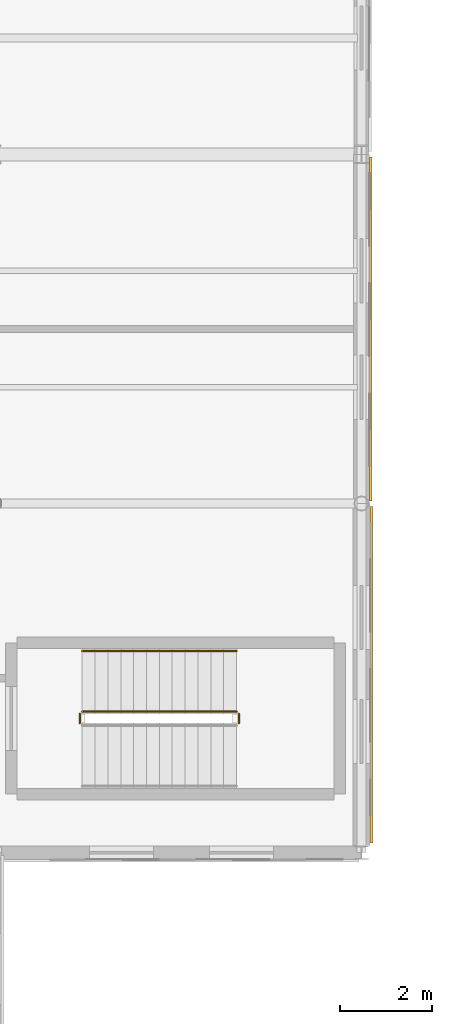
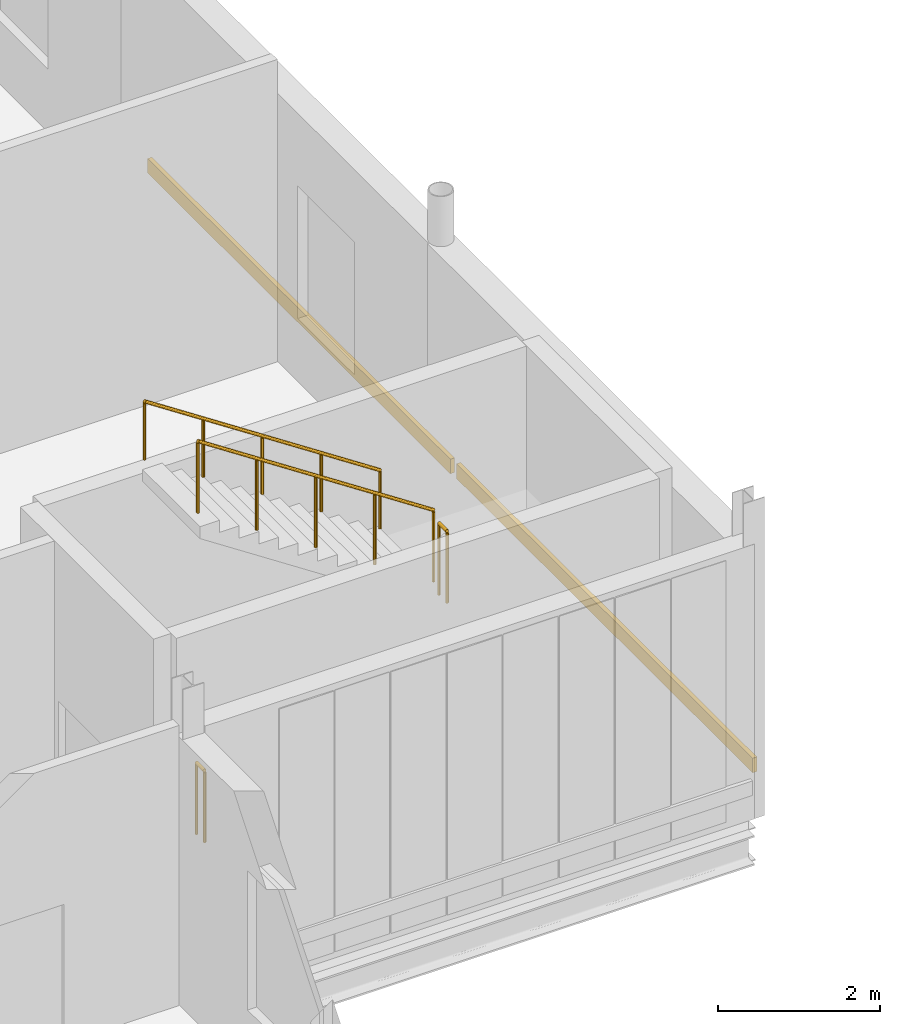
# One storey, part 114 of 120: 4 railings, 2 coverings.
"""IFC4 building model written with IfcOpenShell, lengths in metres."""

import ifcopenshell
import ifcopenshell.guid

model = None  # the IFC model being written
_history = None  # IfcOwnerHistory: only IFC2X3 demands one
_inside = {}  # id of a spatial element -> (the spatial element, [elements in it])
_under = {}  # id of a project, library or spatial element -> (it, [spatial elements below it])
_declared = {}  # id of a project -> (the project, [libraries it declares])
_typed = {}  # id of a type object -> (the type object, [elements of that type])
_made_of = {}  # id of a material, layer set ... -> (it, [elements and type objects made of it])


def new_model(schema):
    """Start an empty IFC model of exactly this schema.

    Asked for "IFC4X3", IfcOpenShell would pick the latest addendum, in which some entities
    have other attributes; the version numbers below select the first issue.
    IFC2X3 requires an IfcOwnerHistory on every rooted entity: one is made here for all.
    """
    global model, _history
    if schema == "IFC4X3":
        model = ifcopenshell.file(schema_version=(4, 3, 0, 0))
    else:
        model = ifcopenshell.file(schema=schema)
    _inside.clear()
    _under.clear()
    _declared.clear()
    _typed.clear()
    _made_of.clear()
    _history = None
    if model.schema == "IFC2X3":
        org = make("IfcOrganization", Name="unknown")
        user = make(
            "IfcPersonAndOrganization",
            ThePerson=make("IfcPerson", FamilyName="unknown"),
            TheOrganization=org,
        )
        app = make(
            "IfcApplication",
            ApplicationDeveloper=org,
            Version="unknown",
            ApplicationFullName="unknown",
            ApplicationIdentifier="unknown",
        )
        _history = make(
            "IfcOwnerHistory",
            OwningUser=user,
            OwningApplication=app,
            ChangeAction="ADDED",
            CreationDate=0,
        )
    return model


def make(cls, **values):
    """One entity of the class cls with the attributes given. An attribute that is None is left unset."""
    return model.create_entity(
        cls, **{name: value for name, value in values.items() if value is not None}
    )


def rooted(cls, **values):
    """An entity with a GlobalId (a new one), such as an element, a storey or a relation."""
    return make(cls, GlobalId=ifcopenshell.guid.new(), OwnerHistory=_history, **values)


def si_unit(unit_type, name, prefix=None):
    """IfcSIUnit, for example si_unit("LENGTHUNIT", "METRE", prefix="MILLI")."""
    return make("IfcSIUnit", UnitType=unit_type, Prefix=prefix, Name=name)


def assignment(units):
    """IfcUnitAssignment: the units of a project."""
    return None if units is None else make("IfcUnitAssignment", Units=units)


def point(xyz):
    """IfcCartesianPoint."""
    return None if xyz is None else make("IfcCartesianPoint", Coordinates=xyz)


def direction(xyz):
    """IfcDirection."""
    return None if xyz is None else make("IfcDirection", DirectionRatios=xyz)


def frame(location, z_axis=None, x_axis=None):
    """IfcAxis2Placement3D, a coordinate frame: its origin and axes. An axis left out is left unset."""
    return make(
        "IfcAxis2Placement3D",
        Location=point(location),
        Axis=direction(z_axis),
        RefDirection=direction(x_axis),
    )


def frame_2d(location, x_axis=None):
    """IfcAxis2Placement2D, a coordinate frame in the plane: its origin and x axis."""
    return make(
        "IfcAxis2Placement2D", Location=point(location), RefDirection=direction(x_axis)
    )


def origin():
    """The frame at (0, 0, 0) with its axes left unset."""
    return frame((0.0, 0.0, 0.0))


def origin_2d():
    """The frame at (0, 0) in the plane with its x axis left unset."""
    return frame_2d((0.0, 0.0))


def place(relative_to, where):
    """IfcLocalPlacement: puts the frame where relative to a parent placement (None: the world)."""
    return make(
        "IfcLocalPlacement", PlacementRelTo=relative_to, RelativePlacement=where
    )


def context(
    kind, dimensions, precision=None, world=None, true_north=None, identifier=None
):
    """IfcGeometricRepresentationContext, for example the 3D "Model" context."""
    return make(
        "IfcGeometricRepresentationContext",
        ContextIdentifier=identifier,
        ContextType=kind,
        CoordinateSpaceDimension=dimensions,
        Precision=precision,
        WorldCoordinateSystem=world,
        TrueNorth=true_north,
    )


def subcontext(parent, identifier, kind, view, scale=None):
    """IfcGeometricRepresentationSubContext, for example "Body" below "Model"."""
    return make(
        "IfcGeometricRepresentationSubContext",
        ContextIdentifier=identifier,
        ContextType=kind,
        ParentContext=parent,
        TargetScale=scale,
        TargetView=view,
    )


def project(units=None, contexts=None):
    """IfcProject with its units and contexts."""
    return rooted(
        "IfcProject",
        Name="project",
        RepresentationContexts=contexts,
        UnitsInContext=assignment(units),
    )


def spatial(cls, under=None, at=None, **own):
    """A site, building, storey or space (cls), placed at a placement, below another one or the project."""
    s = rooted(cls, ObjectPlacement=at, **own)
    if under is not None:
        _under.setdefault(under.id(), (under, []))[1].append(s)
    return s


def profile(cls, at=None, kind="AREA", **sizes):
    """A parametric profile (cls). Its sizes go by their IFC names, for example OverallWidth=200.0."""
    return make(cls, ProfileType=kind, Position=at, **sizes)


def rectangle(**sizes):
    """IfcRectangleProfileDef."""
    return profile("IfcRectangleProfileDef", **sizes)


def circle(**sizes):
    """IfcCircleProfileDef."""
    return profile("IfcCircleProfileDef", **sizes)


def extrude(swept, where, along, depth):
    """IfcExtrudedAreaSolid: the profile swept, set in the frame where, extruded along a direction by depth."""
    return make(
        "IfcExtrudedAreaSolid",
        SweptArea=swept,
        Position=where,
        ExtrudedDirection=direction(along),
        Depth=depth,
    )


def shape(context_of_items, identifier, shape_type, items):
    """IfcShapeRepresentation: the items that make up one representation, for example the "Body"."""
    return make(
        "IfcShapeRepresentation",
        ContextOfItems=context_of_items,
        RepresentationIdentifier=identifier,
        RepresentationType=shape_type,
        Items=items,
    )


def material(Name=None, Category=None):
    """IfcMaterial."""
    return make("IfcMaterial", Name=Name, Category=Category)


def layer(
    of_material, thickness, ventilated=None, Name=None, Category=None, Priority=None
):
    """IfcMaterialLayer: one layer of a wall or slab, of a material (None: an air gap)."""
    return make(
        "IfcMaterialLayer",
        Material=of_material,
        LayerThickness=thickness,
        IsVentilated=ventilated,
        Name=Name,
        Category=Category,
        Priority=Priority,
    )


def layer_set(layers, Name=None):
    """IfcMaterialLayerSet."""
    return make("IfcMaterialLayerSet", MaterialLayers=layers, LayerSetName=Name)


def made_of(thing, what):
    """Note that an element or type object is made of a material, layer set ...; save() writes the relation."""
    if what is not None:
        _made_of.setdefault(what.id(), (what, []))[1].append(thing)
    return thing


def type_object(cls, material=None, **own):
    """A type object (cls), such as IfcWallType, which elements share."""
    return made_of(rooted(cls, **own), material)


def element(
    cls,
    number,
    at=None,
    inside=None,
    cuts=None,
    type_object=None,
    material=None,
    context=None,
    identifier="Body",
    shape_type=None,
    held_by="IfcProductDefinitionShape",
    body=None,
    shapes=None,
    **own,
):
    """One element of the class cls, such as IfcWall. Its Tag is "e" and its number.

    at: its placement. inside: the storey or other place that contains it. cuts: it is an
    opening in that element (IfcRelVoidsElement). A single representation is given by context,
    identifier, shape_type and body (its items); several are given by shapes. held_by: the class
    of the entity that holds the representations. save() writes the other relations.
    """
    e = rooted(cls, Tag="e%d" % number, ObjectPlacement=at, **own)
    if body is not None:
        shapes = [shape(context, identifier, shape_type, body)]
    if shapes is not None:
        e.Representation = make(held_by, Representations=shapes)
    if inside is not None:
        _inside.setdefault(inside.id(), (inside, []))[1].append(e)
    if cuts is not None:
        rooted(
            "IfcRelVoidsElement", RelatingBuildingElement=cuts, RelatedOpeningElement=e
        )
    if type_object is not None:
        _typed.setdefault(type_object.id(), (type_object, []))[1].append(e)
    return made_of(e, material)


def aggregate(whole, parts):
    """IfcRelAggregates: a whole, such as a stair, and the parts it consists of."""
    return rooted("IfcRelAggregates", RelatingObject=whole, RelatedObjects=parts)


def save(model, path):
    """Write the relations noted so far, then the file.

    IfcRelAggregates (storeys below a building ...), IfcRelContainedInSpatialStructure (elements
    in a storey), IfcRelDefinesByType, IfcRelAssociatesMaterial and IfcRelDeclares: one each for
    every whole, place, type object, material and project.
    """
    for whole, parts in _under.values():
        aggregate(whole, parts)
    for where, things in _inside.values():
        rooted(
            "IfcRelContainedInSpatialStructure",
            RelatedElements=things,
            RelatingStructure=where,
        )
    for kind, things in _typed.values():
        rooted("IfcRelDefinesByType", RelatedObjects=things, RelatingType=kind)
    for what, things in _made_of.values():
        rooted("IfcRelAssociatesMaterial", RelatedObjects=things, RelatingMaterial=what)
    for by, libraries in _declared.values():
        rooted("IfcRelDeclares", RelatingContext=by, RelatedDefinitions=libraries)
    model.write(path)


model = new_model("IFC4")

# Units and contexts
model_context = context("Model", 3, precision=1e-05, world=origin(), true_north=direction((0.0, 1.0)))
body_context = subcontext(model_context, "Body", "Model", "MODEL_VIEW")
ifc_project = project(units=[si_unit("LENGTHUNIT", "METRE"), si_unit("AREAUNIT", "SQUARE_METRE"), si_unit("VOLUMEUNIT", "CUBIC_METRE"), si_unit("PLANEANGLEUNIT", "RADIAN"), si_unit("MASSUNIT", "GRAM", prefix="KILO")], contexts=[model_context])

# Site, building, storey
site_placement = place(None, origin())
site = spatial("IfcSite", under=ifc_project, at=site_placement, CompositionType="ELEMENT")
building_placement = place(site_placement, origin())
building = spatial("IfcBuilding", under=site, at=building_placement, Name="Vekula Escarpment Museum", CompositionType="ELEMENT")
storey_placement = place(building_placement, frame((0.0, 0.0, 13.199951171875)))
storey = spatial("IfcBuildingStorey", under=building, at=storey_placement, Name="L03", CompositionType="ELEMENT", Elevation=13.199951171875)

# Coverings
ifc_material_1 = material(Name="Polychrome limestone almasik string-course band", Category="masonry")
ifc_layer = layer(ifc_material_1, 0.06005859375)
ifc_layer_set = layer_set([ifc_layer], Name="Polychrome limestone almasik string-course band")
covering_type = type_object("IfcCoveringType", Name="COV-ALM-BAND", PredefinedType="CLADDING", material=ifc_layer_set)
covering_1_placement = place(storey_placement, frame((56.216064453125, 117.076904296875, 0.41015625), z_axis=(0.0, 0.0, 1.0), x_axis=(0.0, 1.0, 0.0)))
element("IfcCovering", 1, at=covering_1_placement, inside=storey, type_object=covering_type, Name="Almasik Stone String Course L03-0544", PredefinedType="CLADDING", context=body_context, shape_type="SweptSolid", body=[
    extrude(rectangle(XDim=7.325927734375, YDim=0.06005859375, at=origin_2d()), origin(), (0.0, 0.0, 1.0), 0.219970703125),
])
covering_2_placement = place(storey_placement, frame((56.200927734375, 124.60009765625, 0.41015625), z_axis=(0.0, 0.0, 1.0), x_axis=(0.0, 1.0, 0.0)))
element("IfcCovering", 2, at=covering_2_placement, inside=storey, type_object=covering_type, Name="Almasik Stone String Course L03-0545", PredefinedType="CLADDING", context=body_context, shape_type="SweptSolid", body=[
    extrude(rectangle(XDim=7.47998046875, YDim=0.06005859375, at=origin_2d()), origin(), (0.0, 0.0, 1.0), 0.219970703125),
])

# Railings
ifc_material_2 = material(Name="Painted Steel S355 stair guard", Category="steel")
railing_type_1 = type_object("IfcRailingType", Name="RL-STAIR-GUARD", PredefinedType="GUARDRAIL", material=ifc_material_2)
railing_1_placement = place(storey_placement, frame((53.330078125, 116.02001953125, 2.400146484375)))
element("IfcRailing", 3, at=railing_1_placement, inside=storey, type_object=railing_type_1, Name="L03 ST-03 stair guard 2", PredefinedType="GUARDRAIL", context=body_context, shape_type="SweptSolid", body=[
    extrude(circle(Radius=0.02392578125, at=origin_2d()), frame((0.0, 0.0, 1.076171875), z_axis=(0.0, 1.0, 0.0), x_axis=(-1.0, 0.0, 0.0)), (0.0, 0.0, 1.0), 0.199951171875),
    extrude(circle(Radius=0.02099609375, at=origin_2d()), origin(), (0.0, 0.0, 1.0), 1.052001953125),
    extrude(circle(Radius=0.02099609375, at=origin_2d()), frame((0.0, 0.199951171875, 0.0)), (0.0, 0.0, 1.0), 1.052001953125),
])
railing_2_placement = place(storey_placement, frame((53.280029296875, 116.27001953125, 2.584716796875)))
element("IfcRailing", 4, at=railing_2_placement, inside=storey, type_object=railing_type_1, Name="L03 ST-03 stair guard 3", PredefinedType="GUARDRAIL", context=body_context, shape_type="SweptSolid", body=[
    extrude(circle(Radius=0.02392578125, at=origin_2d()), frame((0.0, 0.0, 1.076171875), z_axis=(-0.834876476806, 0.0, 0.550437342915), x_axis=(0.0, -1.0, 0.0)), (0.0, 0.0, 1.0), 4.024658203125),
    extrude(circle(Radius=0.02099609375, at=origin_2d()), origin(), (0.0, 0.0, 1.0), 1.052001953125),
    extrude(circle(Radius=0.02099609375, at=origin_2d()), frame((-0.840087890625, 0.0, 0.5537109375)), (0.0, 0.0, 1.0), 1.052001953125),
    extrude(circle(Radius=0.02099609375, at=origin_2d()), frame((-1.68017578125, 0.0, 1.107666015625)), (0.0, 0.0, 1.0), 1.052001953125),
    extrude(circle(Radius=0.02099609375, at=origin_2d()), frame((-2.52001953125, 0.0, 1.66162109375)), (0.0, 0.0, 1.0), 1.052001953125),
    extrude(circle(Radius=0.02099609375, at=origin_2d()), frame((-3.360107421875, 0.0, 2.21533203125)), (0.0, 0.0, 1.0), 1.052001953125),
])
railing_3_placement = place(storey_placement, frame((49.8701171875, 116.02001953125, 0.0)))
element("IfcRailing", 5, at=railing_3_placement, inside=storey, type_object=railing_type_1, Name="L03 ST-03 stair guard 4", PredefinedType="GUARDRAIL", context=body_context, shape_type="SweptSolid", body=[
    extrude(circle(Radius=0.02392578125, at=origin_2d()), frame((0.0, 0.0, 1.076171875), z_axis=(0.0, 1.0, 0.0), x_axis=(-1.0, 0.0, 0.0)), (0.0, 0.0, 1.0), 0.199951171875),
    extrude(circle(Radius=0.02099609375, at=origin_2d()), origin(), (0.0, 0.0, 1.0), 1.052001953125),
    extrude(circle(Radius=0.02099609375, at=origin_2d()), frame((0.0, 0.199951171875, 0.0)), (0.0, 0.0, 1.0), 1.052001953125),
])
ifc_material_3 = material(Name="Brushed stainless steel handrail", Category="steel")
railing_type_2 = type_object("IfcRailingType", Name="RL-STAIR-HAND", PredefinedType="HANDRAIL", material=ifc_material_3)
railing_4_placement = place(storey_placement, frame((53.280029296875, 117.590087890625, 2.584716796875)))
element("IfcRailing", 6, at=railing_4_placement, inside=storey, type_object=railing_type_2, Name="L03 ST-03 stair handrail 2", PredefinedType="HANDRAIL", context=body_context, shape_type="SweptSolid", body=[
    extrude(circle(Radius=0.02392578125, at=origin_2d()), frame((0.0, 0.0, 0.8759765625), z_axis=(-0.834876476806, 0.0, 0.550437342915), x_axis=(0.0, -1.0, 0.0)), (0.0, 0.0, 1.0), 4.024658203125),
    extrude(circle(Radius=0.02099609375, at=origin_2d()), origin(), (0.0, 0.0, 1.0), 0.851806640625),
    extrude(circle(Radius=0.02099609375, at=origin_2d()), frame((-0.840087890625, 0.0, 0.5537109375)), (0.0, 0.0, 1.0), 0.851806640625),
    extrude(circle(Radius=0.02099609375, at=origin_2d()), frame((-1.68017578125, 0.0, 1.107666015625)), (0.0, 0.0, 1.0), 0.851806640625),
    extrude(circle(Radius=0.02099609375, at=origin_2d()), frame((-2.52001953125, 0.0, 1.66162109375)), (0.0, 0.0, 1.0), 0.851806640625),
    extrude(circle(Radius=0.02099609375, at=origin_2d()), frame((-3.360107421875, 0.0, 2.21533203125)), (0.0, 0.0, 1.0), 0.851806640625),
])

save(model, "model.ifc")
